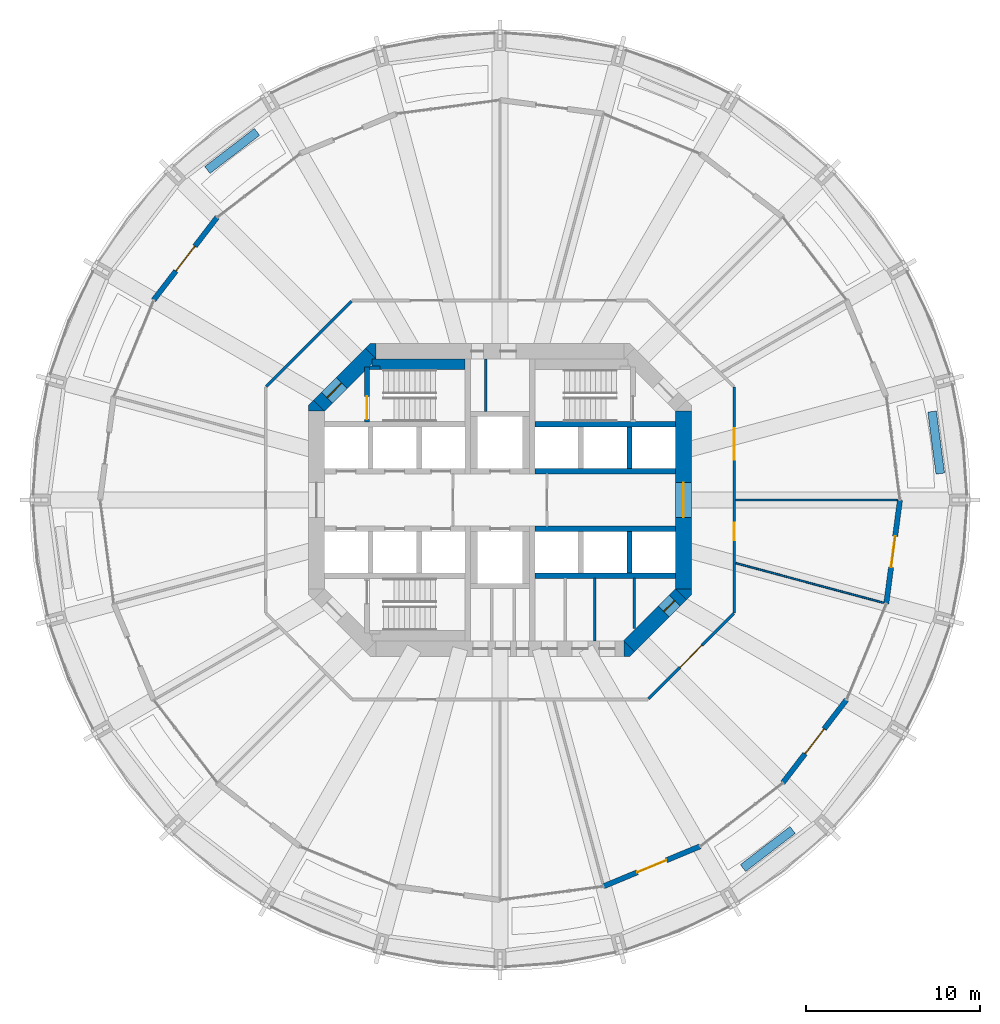
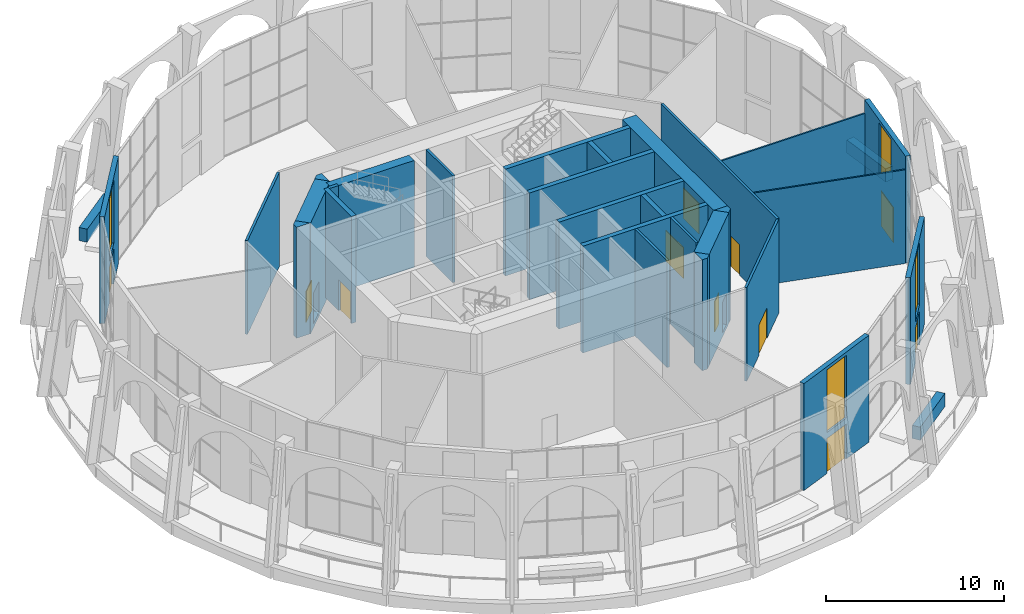
# One storey, part 14 of 19: 31 walls, 11 doors, 4 windows, 15 openings.
"""IFC4 building model written with IfcOpenShell, lengths in metres."""

from ifc_helpers import new_model, si_unit, direction, frame, frame_2d, origin, place, context, subcontext, project, spatial, polyline, rectangle, outline, extrude, material, layer, layer_set, type_object, element, fill, save


model = new_model("IFC4")

# Units and contexts
model_context = context("Model", 3, precision=1e-05, world=origin(), true_north=direction((0.0, 1.0)))
body_context = subcontext(model_context, "Body", "Model", "MODEL_VIEW")
ifc_project = project(units=[si_unit("LENGTHUNIT", "METRE"), si_unit("AREAUNIT", "SQUARE_METRE"), si_unit("VOLUMEUNIT", "CUBIC_METRE"), si_unit("PLANEANGLEUNIT", "RADIAN"), si_unit("MASSUNIT", "GRAM", prefix="KILO")], contexts=[model_context])

# Site, building, storey
site_placement = place(None, origin())
site = spatial("IfcSite", under=ifc_project, at=site_placement, CompositionType="ELEMENT")
building_placement = place(site_placement, origin())
building = spatial("IfcBuilding", under=site, at=building_placement, Name="Torre Triforio", CompositionType="ELEMENT")
storey_placement = place(building_placement, frame((0.0, 0.0, 79.0)))
storey = spatial("IfcBuildingStorey", under=building, at=storey_placement, Name="L17", CompositionType="ELEMENT", Elevation=79.0)

# Wall, opening, door
ifc_material_1 = material(Name="Concrete C60", Category="concrete")
ifc_layer_1 = layer(ifc_material_1, 0.89990234375)
ifc_layer_set_1 = layer_set([ifc_layer_1], Name="Concrete C60")
wall_type_1 = type_object("IfcWallType", Name="Core wall 900 mm C60 EI 120", PredefinedType="SHEAR", material=ifc_layer_set_1)
wall_1_placement = place(storey_placement, frame((10.550048828125, -5.1298828125, -0.280029296875), z_axis=(0.0, 0.0, 1.0), x_axis=(0.0, 1.0, 0.0)))
wall_1 = element("IfcWall", 1, at=wall_1_placement, inside=storey, type_object=wall_type_1, Name="Core wall", PredefinedType="SHEAR", context=body_context, shape_type="SweptSolid", body=[
    extrude(rectangle(XDim=10.259765625, YDim=0.89990234375, at=frame_2d((5.1298828125, 0.0))), origin(), (0.0, 0.0, 1.0), 7.60009765625),
])
opening_1_placement = place(wall_1_placement, frame((4.1298828125, 0.0, 0.280029296875)))
opening_1 = element("IfcOpeningElement", 2, at=opening_1_placement, cuts=wall_1, Name="Opening E-RING", PredefinedType="OPENING", context=body_context, shape_type="SweptSolid", body=[
    extrude(rectangle(XDim=2.0, YDim=2.10009765625, at=frame_2d((1.0, 1.050048828125))), frame((0.0, 0.4599609375, 0.0), z_axis=(0.0, -1.0, 0.0), x_axis=(1.0, 0.0, 0.0)), (0.0, 0.0, 1.0), 0.919921875),
])
ifc_material_2 = material(Name="Hollow metal fire door leaf")
door_type_1 = type_object("IfcDoorType", Name="Lobby door 2000 x 2100 EI 60", OperationType="DOUBLE_DOOR_SINGLE_SWING", PredefinedType="DOOR", material=ifc_material_2)
door_1_placement = place(opening_1_placement, origin())
door_1 = element("IfcDoor", 3, at=door_1_placement, inside=storey, type_object=door_type_1, Name="Core door E-RING", OperationType="DOUBLE_DOOR_SINGLE_SWING", OverallHeight=2.10009765625, OverallWidth=2.0, PredefinedType="DOOR", context=body_context, shape_type="SweptSolid", body=[
    extrude(rectangle(XDim=2.0, YDim=2.10009765625, at=frame_2d((1.0, 1.050048828125))), frame((0.0, 0.02490234375, 0.0), z_axis=(0.0, -1.0, 0.0), x_axis=(1.0, 0.0, 0.0)), (0.0, 0.0, 1.0), 0.050048828125),
])
fill(opening_1, door_1)

wall_2_placement = place(storey_placement, frame((-10.418212890625, 5.418212890625, -0.280029296875), z_axis=(0.0, 0.0, 1.0), x_axis=(0.707106781187, 0.707106781187, 0.0)))
wall_2 = element("IfcWall", 4, at=wall_2_placement, inside=storey, type_object=wall_type_1, Name="Core wall", PredefinedType="SHEAR", context=body_context, shape_type="SweptSolid", body=[
    extrude(rectangle(XDim=4.24267578125, YDim=0.89990234375, at=frame_2d((2.121337890625, 0.0))), origin(), (0.0, 0.0, 1.0), 7.60009765625),
])
opening_2_placement = place(wall_2_placement, frame((0.64990234375, 0.0, 0.280029296875)))
opening_2 = element("IfcOpeningElement", 5, at=opening_2_placement, cuts=wall_2, Name="Opening ST1-EXIT", PredefinedType="OPENING", context=body_context, shape_type="SweptSolid", body=[
    extrude(rectangle(XDim=1.199951171875, YDim=2.10009765625, at=frame_2d((0.60009765625, 1.050048828125))), frame((0.0, 0.4599609375, 0.0), z_axis=(0.0, -1.0, 0.0), x_axis=(1.0, 0.0, 0.0)), (0.0, 0.0, 1.0), 0.919921875),
])
door_type_2 = type_object("IfcDoorType", Name="Stair lobby door 1200 x 2100 EI 60", OperationType="NOTDEFINED", PredefinedType="DOOR", material=ifc_material_2)
door_2_placement = place(opening_2_placement, origin())
door_2 = element("IfcDoor", 6, at=door_2_placement, inside=storey, type_object=door_type_2, Name="Core door ST1-EXIT", OperationType="SINGLE_SWING_RIGHT", OverallHeight=2.10009765625, OverallWidth=1.199951171875, PredefinedType="DOOR", context=body_context, shape_type="SweptSolid", body=[
    extrude(rectangle(XDim=1.199951171875, YDim=2.10009765625, at=frame_2d((0.60009765625, 1.050048828125))), frame((0.0, 0.02490234375, 0.0), z_axis=(0.0, -1.0, 0.0), x_axis=(1.0, 0.0, 0.0)), (0.0, 0.0, 1.0), 0.050048828125),
])
fill(opening_2, door_2)

wall_3_placement = place(storey_placement, frame((10.418212890625, -5.418212890625, -0.280029296875), z_axis=(0.0, 0.0, 1.0), x_axis=(-0.707106781187, -0.707106781187, 0.0)))
wall_3 = element("IfcWall", 7, at=wall_3_placement, inside=storey, type_object=wall_type_1, Name="Core wall", PredefinedType="SHEAR", context=body_context, shape_type="SweptSolid", body=[
    extrude(rectangle(XDim=4.24267578125, YDim=0.89990234375, at=frame_2d((2.121337890625, 0.0))), origin(), (0.0, 0.0, 1.0), 7.60009765625),
])
opening_3_placement = place(wall_3_placement, frame((0.52001953125, 0.0, 0.280029296875)))
opening_3 = element("IfcOpeningElement", 8, at=opening_3_placement, cuts=wall_3, Name="Opening SE-04", PredefinedType="OPENING", context=body_context, shape_type="SweptSolid", body=[
    extrude(rectangle(XDim=0.89990234375, YDim=2.10009765625, at=frame_2d((0.449951171875, 1.050048828125))), frame((0.0, 0.4599609375, 0.0), z_axis=(0.0, -1.0, 0.0), x_axis=(1.0, 0.0, 0.0)), (0.0, 0.0, 1.0), 0.919921875),
])
door_type_3 = type_object("IfcDoorType", Name="Room door 900 x 2100 EI 60", OperationType="NOTDEFINED", PredefinedType="DOOR", material=ifc_material_2)
door_3_placement = place(opening_3_placement, origin())
door_3 = element("IfcDoor", 9, at=door_3_placement, inside=storey, type_object=door_type_3, Name="Core door SE-04", OperationType="SINGLE_SWING_RIGHT", OverallHeight=2.10009765625, OverallWidth=0.89990234375, PredefinedType="DOOR", context=body_context, shape_type="SweptSolid", body=[
    extrude(rectangle(XDim=0.89990234375, YDim=2.10009765625, at=frame_2d((0.449951171875, 1.050048828125))), frame((0.0, 0.02490234375, 0.0), z_axis=(0.0, -1.0, 0.0), x_axis=(1.0, 0.0, 0.0)), (0.0, 0.0, 1.0), 0.050048828125),
])
fill(opening_3, door_3)

# Walls
wall_4_placement = place(storey_placement, frame((0.0, 0.0, -0.280029296875)))
element("IfcWall", 10, at=wall_4_placement, inside=storey, type_object=wall_type_1, Name="Core wall", PredefinedType="SHEAR", context=body_context, shape_type="SweptSolid", body=[
    extrude(outline(polyline([(7.472900390625, -9.0), (7.1298828125, -9.0), (7.1298828125, -8.1298828125), (7.736328125, -8.736328125), (7.472900390625, -9.0)])), origin(), (0.0, 0.0, 1.0), 7.60009765625),
])
wall_5_placement = place(storey_placement, frame((0.0, 0.0, -0.280029296875)))
element("IfcWall", 11, at=wall_5_placement, inside=storey, type_object=wall_type_1, Name="Core wall", PredefinedType="SHEAR", context=body_context, shape_type="SweptSolid", body=[
    extrude(outline(polyline([(11.0, -5.472900390625), (10.736328125, -5.736328125), (10.1298828125, -5.1298828125), (11.0, -5.1298828125), (11.0, -5.472900390625)])), origin(), (0.0, 0.0, 1.0), 7.60009765625),
])
wall_6_placement = place(storey_placement, frame((0.0, 0.0, -0.280029296875)))
element("IfcWall", 12, at=wall_6_placement, inside=storey, type_object=wall_type_1, Name="Core wall", PredefinedType="SHEAR", context=body_context, shape_type="SweptSolid", body=[
    extrude(outline(polyline([(-10.736328125, 5.736328125), (-10.1298828125, 5.1298828125), (-11.0, 5.1298828125), (-11.0, 5.472900390625), (-10.736328125, 5.736328125)])), origin(), (0.0, 0.0, 1.0), 7.60009765625),
])
wall_7_placement = place(storey_placement, frame((0.0, 0.0, -0.280029296875)))
element("IfcWall", 13, at=wall_7_placement, inside=storey, type_object=wall_type_1, Name="Core wall", PredefinedType="SHEAR", context=body_context, shape_type="SweptSolid", body=[
    extrude(outline(polyline([(-7.472900390625, 9.0), (-7.1298828125, 9.0), (-7.1298828125, 8.1298828125), (-7.736328125, 8.736328125), (-7.472900390625, 9.0)])), origin(), (0.0, 0.0, 1.0), 7.60009765625),
])

# Wall, opening, door
ifc_material_3 = material(Name="Plasterboard on metal studs")
ifc_layer_2 = layer(ifc_material_3, 0.14990234375)
ifc_layer_set_2 = layer_set([ifc_layer_2], Name="Plasterboard on metal studs")
wall_type_2 = type_object("IfcWallType", Name="Corridor and tenancy wall 150 mm EI 60", PredefinedType="PARTITIONING", material=ifc_layer_set_2)
wall_8_placement = place(storey_placement, frame((13.43798828125, -6.53515625, 0.0), z_axis=(0.0, 0.0, 1.0), x_axis=(-0.707106781187, -0.707106781187, 0.0)))
wall_8 = element("IfcWall", 14, at=wall_8_placement, inside=storey, type_object=wall_type_2, Name="Partition 1", PredefinedType="PARTITIONING", context=body_context, shape_type="SweptSolid", body=[
    extrude(rectangle(XDim=6.93359375, YDim=0.14990234375, at=frame_2d((3.466796875, 0.0))), origin(), (0.0, 0.0, 1.0), 6.419921875),
])
opening_4_placement = place(wall_8_placement, frame((2.56689453125, 0.0, 0.0)))
opening_4 = element("IfcOpeningElement", 15, at=opening_4_placement, cuts=wall_8, Name="Opening G1-11", PredefinedType="OPENING", context=body_context, shape_type="SweptSolid", body=[
    extrude(rectangle(XDim=1.800048828125, YDim=2.10009765625, at=frame_2d((0.89990234375, 1.050048828125))), frame((0.0, 0.0849609375, 0.0), z_axis=(0.0, -1.0, 0.0), x_axis=(1.0, 0.0, 0.0)), (0.0, 0.0, 1.0), 0.169921875),
])
ifc_material_4 = material(Name="Timber", Category="wood")
door_type_4 = type_object("IfcDoorType", Name="Door 1800 x 2100 double leaf EI 30", OperationType="DOUBLE_DOOR_SINGLE_SWING", PredefinedType="DOOR", material=ifc_material_4)
door_4_placement = place(opening_4_placement, origin())
door_4 = element("IfcDoor", 16, at=door_4_placement, inside=storey, type_object=door_type_4, Name="Door G1-11", OperationType="DOUBLE_DOOR_SINGLE_SWING", OverallHeight=2.10009765625, OverallWidth=1.800048828125, PredefinedType="DOOR", context=body_context, shape_type="SweptSolid", body=[
    extrude(rectangle(XDim=1.800048828125, YDim=2.10009765625, at=frame_2d((0.89990234375, 1.050048828125))), frame((0.0, 0.02490234375, 0.0), z_axis=(0.0, -1.0, 0.0), x_axis=(1.0, 0.0, 0.0)), (0.0, 0.0, 1.0), 0.050048828125),
])
fill(opening_4, door_4)

# Wall
wall_9_placement = place(storey_placement, frame((-13.43798828125, 6.53515625, 0.0), z_axis=(0.0, 0.0, 1.0), x_axis=(0.707106781187, 0.707106781187, 0.0)))
element("IfcWall", 17, at=wall_9_placement, inside=storey, type_object=wall_type_2, Name="Partition 5", PredefinedType="PARTITIONING", context=body_context, shape_type="SweptSolid", body=[
    extrude(rectangle(XDim=6.93359375, YDim=0.14990234375, at=frame_2d((3.466796875, 0.0))), origin(), (0.0, 0.0, 1.0), 6.419921875),
])

# Wall, openings, doors
wall_10_placement = place(storey_placement, frame((13.47509765625, 6.498046875, 0.0), z_axis=(0.0, 0.0, 1.0), x_axis=(0.0, -1.0, 0.0)))
wall_10 = element("IfcWall", 18, at=wall_10_placement, inside=storey, type_object=wall_type_2, Name="Partition 8", PredefinedType="PARTITIONING", context=body_context, shape_type="SweptSolid", body=[
    extrude(rectangle(XDim=12.99609375, YDim=0.14990234375, at=frame_2d((6.498046875, 0.0))), origin(), (0.0, 0.0, 1.0), 6.419921875),
])
opening_5_placement = place(wall_10_placement, frame((2.3740234375, 0.0, 0.0)))
opening_5 = element("IfcOpeningElement", 19, at=opening_5_placement, cuts=wall_10, Name="Opening G1-01", PredefinedType="OPENING", context=body_context, shape_type="SweptSolid", body=[
    extrude(rectangle(XDim=1.800048828125, YDim=2.10009765625, at=frame_2d((0.89990234375, 1.050048828125))), frame((0.0, 0.0849609375, 0.0), z_axis=(0.0, -1.0, 0.0), x_axis=(1.0, 0.0, 0.0)), (0.0, 0.0, 1.0), 0.169921875),
])
opening_6_placement = place(wall_10_placement, frame((7.80419921875, 0.0, 0.0)))
opening_6 = element("IfcOpeningElement", 20, at=opening_6_placement, cuts=wall_10, Name="Opening G1-12", PredefinedType="OPENING", context=body_context, shape_type="SweptSolid", body=[
    extrude(rectangle(XDim=1.0, YDim=2.10009765625, at=frame_2d((0.5, 1.050048828125))), frame((0.0, 0.0849609375, 0.0), z_axis=(0.0, -1.0, 0.0), x_axis=(1.0, 0.0, 0.0)), (0.0, 0.0, 1.0), 0.169921875),
])
door_type_5 = type_object("IfcDoorType", Name="Door 1000 x 2100 single leaf EI 30", OperationType="NOTDEFINED", PredefinedType="DOOR", material=ifc_material_4)
door_5_placement = place(opening_6_placement, origin())
door_5 = element("IfcDoor", 21, at=door_5_placement, inside=storey, type_object=door_type_5, Name="Door G1-12", OperationType="SINGLE_SWING_LEFT", OverallHeight=2.10009765625, OverallWidth=1.0, PredefinedType="DOOR", context=body_context, shape_type="SweptSolid", body=[
    extrude(rectangle(XDim=1.0, YDim=2.10009765625, at=frame_2d((0.5, 1.050048828125))), frame((0.0, 0.02490234375, 0.0), z_axis=(0.0, -1.0, 0.0), x_axis=(1.0, 0.0, 0.0)), (0.0, 0.0, 1.0), 0.050048828125),
])
fill(opening_6, door_5)
door_6_placement = place(opening_5_placement, origin())
door_6 = element("IfcDoor", 22, at=door_6_placement, inside=storey, type_object=door_type_4, Name="Door G1-01", OperationType="DOUBLE_DOOR_SINGLE_SWING", OverallHeight=2.10009765625, OverallWidth=1.800048828125, PredefinedType="DOOR", context=body_context, shape_type="SweptSolid", body=[
    extrude(rectangle(XDim=1.800048828125, YDim=2.10009765625, at=frame_2d((0.89990234375, 1.050048828125))), frame((0.0, 0.02490234375, 0.0), z_axis=(0.0, -1.0, 0.0), x_axis=(1.0, 0.0, 0.0)), (0.0, 0.0, 1.0), 0.050048828125),
])
fill(opening_5, door_6)

# Walls
ifc_layer_3 = layer(ifc_material_3, 0.10009765625)
ifc_layer_set_3 = layer_set([ifc_layer_3], Name="Plasterboard on metal studs")
wall_type_3 = type_object("IfcWallType", Name="Partition 100 mm board on metal studs", PredefinedType="PARTITIONING", material=ifc_layer_set_3)
wall_11_placement = place(storey_placement, frame((13.550048828125, 0.0, 0.0), z_axis=(0.0, 0.0, 1.0), x_axis=(1.0, 0.0, 0.0)))
element("IfcWall", 23, at=wall_11_placement, inside=storey, type_object=wall_type_3, Name="Partition 9", PredefinedType="PARTITIONING", context=body_context, shape_type="SweptSolid", body=[
    extrude(rectangle(XDim=9.28662109375, YDim=0.10009765625, at=frame_2d((4.643310546875, 0.0))), origin(), (0.0, 0.0, 1.0), 6.419921875),
])
wall_12_placement = place(storey_placement, frame((13.564208984375, -3.634521484375, 0.0), z_axis=(0.0, 0.0, 1.0), x_axis=(0.965924134536, -0.25882535873, 0.0)))
element("IfcWall", 24, at=wall_12_placement, inside=storey, type_object=wall_type_3, Name="Partition 20", PredefinedType="PARTITIONING", context=body_context, shape_type="SweptSolid", body=[
    extrude(rectangle(XDim=8.7939453125, YDim=0.10009765625, at=frame_2d((4.39697265625, 0.0))), origin(), (0.0, 0.0, 1.0), 6.419921875),
])
ifc_material_5 = material(Name="Block and board partition")
ifc_layer_4 = layer(ifc_material_5, 0.14990234375)
ifc_layer_set_4 = layer_set([ifc_layer_4], Name="Block and board partition")
wall_type_4 = type_object("IfcWallType", Name="Partition 150 mm", PredefinedType="PARTITIONING", material=ifc_layer_set_4)
wall_13_placement = place(storey_placement, frame((5.43798828125, -8.10009765625, 0.0), z_axis=(0.0, 0.0, 1.0), x_axis=(0.0, 1.0, 0.0)))
element("IfcWall", 25, at=wall_13_placement, inside=storey, type_object=wall_type_4, Name="Partition", PredefinedType="PARTITIONING", context=body_context, shape_type="SweptSolid", body=[
    extrude(rectangle(XDim=3.60009765625, YDim=0.14990234375, at=frame_2d((1.800048828125, 0.0))), origin(), (0.0, 0.0, 1.0), 7.320068359375),
])
wall_14_placement = place(storey_placement, frame((7.72998046875, -7.39501953125, 0.0), z_axis=(0.0, 0.0, 1.0), x_axis=(0.0, 1.0, 0.0)))
element("IfcWall", 26, at=wall_14_placement, inside=storey, type_object=wall_type_4, Name="Partition", PredefinedType="PARTITIONING", context=body_context, shape_type="SweptSolid", body=[
    extrude(rectangle(XDim=2.89501953125, YDim=0.14990234375, at=frame_2d((1.447509765625, 0.0))), origin(), (0.0, 0.0, 1.0), 7.320068359375),
])
ifc_layer_5 = layer(ifc_material_5, 0.14990234375)
ifc_layer_set_5 = layer_set([ifc_layer_5], Name="Block and board partition")
wall_type_5 = type_object("IfcWallType", Name="Partition 150 mm EI 120", PredefinedType="PARTITIONING", material=ifc_layer_set_5)
wall_15_placement = place(storey_placement, frame((-0.824951171875, 5.10009765625, 0.0), z_axis=(0.0, 0.0, 1.0), x_axis=(0.0, 1.0, 0.0)))
element("IfcWall", 27, at=wall_15_placement, inside=storey, type_object=wall_type_5, Name="Partition", PredefinedType="PARTITIONING", context=body_context, shape_type="SweptSolid", body=[
    extrude(rectangle(XDim=3.0, YDim=0.14990234375, at=frame_2d((1.5, 0.0))), origin(), (0.0, 0.0, 1.0), 7.320068359375),
])
ifc_material_6 = material(Name="Limestone cladding", Category="masonry")
ifc_layer_6 = layer(ifc_material_6, 0.10009765625)
ifc_material_7 = material(Name="Concrete C40", Category="concrete")
ifc_layer_7 = layer(ifc_material_7, 0.39990234375)
ifc_layer_set_6 = layer_set([ifc_layer_6, ifc_layer_7], Name="Limestone cladding / Concrete C40")
wall_type_6 = type_object("IfcWallType", Name="Planter wall 500", PredefinedType="PARAPET", material=ifc_layer_set_6)
wall_16_placement = place(storey_placement, frame((25.318603515625, 1.517578125, 0.0), z_axis=(0.0, 0.0, 1.0), x_axis=(-0.130542222659, 0.991442750795, 0.0)))
element("IfcWall", 28, at=wall_16_placement, inside=storey, type_object=wall_type_6, Name="Planter L17 bay 01", PredefinedType="PARAPET", context=body_context, shape_type="SweptSolid", body=[
    extrude(rectangle(XDim=3.60009765625, YDim=0.5, at=frame_2d((1.800048828125, 0.0))), origin(), (0.0, 0.0, 1.0), 0.89990234375),
])
for number, where, z_axis, x_axis, name in (
    (29, (-13.9736328125, 21.16748046875, 0.0), (0.0, 0.0, 1.0), (-0.793359599829, -0.608753271334, 0.0), "Planter L17 bay 09"),
    (30, (13.9736328125, -21.16748046875, 0.0), (0.0, 0.0, 1.0), (0.793359599829, 0.608753271334, 0.0), "Planter L17 bay 21"),
):
    element("IfcWall", number, at=place(storey_placement, frame(where, z_axis=z_axis, x_axis=x_axis)), inside=storey, type_object=wall_type_6, Name=name, PredefinedType="PARAPET", context=body_context, shape_type="SweptSolid", body=[
        extrude(rectangle(XDim=3.599853515625, YDim=0.5, at=frame_2d((1.7998046875, 0.0))), origin(), (0.0, 0.0, 1.0), 0.89990234375),
    ])
ifc_layer_8 = layer(ifc_material_1, 0.300048828125)
ifc_layer_set_7 = layer_set([ifc_layer_8], Name="Concrete C60")
wall_type_7 = type_object("IfcWallType", Name="Shaft wall 300 mm C60 EI 120", PredefinedType="SOLIDWALL", material=ifc_layer_set_7)
for number, where, z_axis, x_axis, name in (
    (31, (2.0, 4.35009765625, 0.0), (0.0, 0.0, 1.0), (1.0, 0.0, 0.0), "Shaft wall"),
    (32, (2.0, -4.35009765625, 0.0), (0.0, 0.0, 1.0), (1.0, 0.0, 0.0), "Shaft wall"),
    (33, (2.0, 1.64990234375, 0.0), (0.0, 0.0, 1.0), (1.0, 0.0, 0.0), "Shaft wall"),
    (34, (2.0, -1.64990234375, 0.0), (0.0, 0.0, 1.0), (1.0, 0.0, 0.0), "Shaft wall"),
):
    element("IfcWall", number, at=place(storey_placement, frame(where, z_axis=z_axis, x_axis=x_axis)), inside=storey, type_object=wall_type_7, Name=name, PredefinedType="SOLIDWALL", context=body_context, shape_type="SweptSolid", body=[
        extrude(rectangle(XDim=8.10009765625, YDim=0.300048828125, at=frame_2d((4.050048828125, 0.0))), origin(), (0.0, 0.0, 1.0), 7.320068359375),
    ])
for number, where, z_axis, x_axis, name in (
    (35, (7.449951171875, 1.800048828125, 0.0), (0.0, 0.0, 1.0), (0.0, 1.0, 0.0), "Shaft wall"),
    (36, (7.449951171875, -4.199951171875, 0.0), (0.0, 0.0, 1.0), (0.0, 1.0, 0.0), "Shaft wall"),
):
    element("IfcWall", number, at=place(storey_placement, frame(where, z_axis=z_axis, x_axis=x_axis)), inside=storey, type_object=wall_type_7, Name=name, PredefinedType="SOLIDWALL", context=body_context, shape_type="SweptSolid", body=[
        extrude(rectangle(XDim=2.39990234375, YDim=0.300048828125, at=frame_2d((1.199951171875, 0.0))), origin(), (0.0, 0.0, 1.0), 7.320068359375),
    ])
ifc_layer_9 = layer(ifc_material_1, 0.199951171875)
ifc_layer_set_8 = layer_set([ifc_layer_9], Name="Concrete C60")
wall_type_8 = type_object("IfcWallType", Name="Stair wall 200 mm C60 EI 120", PredefinedType="SHEAR", material=ifc_layer_set_8)
wall_17_placement = place(storey_placement, frame((-7.5, 7.60009765625, 0.0), z_axis=(0.0, 0.0, 1.0), x_axis=(1.0, 0.0, 0.0)))
element("IfcWall", 37, at=wall_17_placement, inside=storey, type_object=wall_type_8, Name="Stair wall", PredefinedType="SHEAR", context=body_context, shape_type="SweptSolid", body=[
    extrude(rectangle(XDim=0.60009765625, YDim=0.199951171875, at=frame_2d((0.300048828125, 0.0))), origin(), (0.0, 0.0, 1.0), 7.320068359375),
])

# Wall, opening, door
ifc_layer_10 = layer(ifc_material_1, 0.300048828125)
ifc_layer_set_9 = layer_set([ifc_layer_10], Name="Concrete C60")
wall_type_9 = type_object("IfcWallType", Name="Stair wall 300 mm C60 EI 120", PredefinedType="SHEAR", material=ifc_layer_set_9)
wall_18_placement = place(storey_placement, frame((-7.64990234375, 4.5, 0.0), z_axis=(0.0, 0.0, 1.0), x_axis=(0.0, 1.0, 0.0)))
wall_18 = element("IfcWall", 38, at=wall_18_placement, inside=storey, type_object=wall_type_9, Name="Stair wall", PredefinedType="SHEAR", context=body_context, shape_type="SweptSolid", body=[
    extrude(rectangle(XDim=3.139892578125, YDim=0.300048828125, at=frame_2d((1.56982421875, 0.0))), origin(), (0.0, 0.0, 1.0), 7.320068359375),
])
opening_7_placement = place(wall_18_placement, frame((0.139892578125, 0.0, 0.0)))
opening_7 = element("IfcOpeningElement", 39, at=opening_7_placement, cuts=wall_18, Name="Opening ST1-STA", PredefinedType="OPENING", context=body_context, shape_type="SweptSolid", body=[
    extrude(rectangle(XDim=1.320068359375, YDim=2.10009765625, at=frame_2d((0.66015625, 1.050048828125))), frame((0.0, 0.159912109375, 0.0), z_axis=(0.0, -1.0, 0.0), x_axis=(1.0, 0.0, 0.0)), (0.0, 0.0, 1.0), 0.320068359375),
])
door_type_6 = type_object("IfcDoorType", Name="Stair door 1320 x 2100 EI 90", OperationType="DOUBLE_DOOR_SINGLE_SWING", PredefinedType="DOOR", material=ifc_material_2)
door_7_placement = place(opening_7_placement, origin())
door_7 = element("IfcDoor", 40, at=door_7_placement, inside=storey, type_object=door_type_6, Name="Core door ST1-ST", OperationType="DOUBLE_DOOR_SINGLE_SWING", OverallHeight=2.10009765625, OverallWidth=1.320068359375, PredefinedType="DOOR", context=body_context, shape_type="SweptSolid", body=[
    extrude(rectangle(XDim=1.320068359375, YDim=2.10009765625, at=frame_2d((0.66015625, 1.050048828125))), frame((0.0, 0.02490234375, 0.0), z_axis=(0.0, -1.0, 0.0), x_axis=(1.0, 0.0, 0.0)), (0.0, 0.0, 1.0), 0.050048828125),
])
fill(opening_7, door_7)

# Wall
ifc_layer_11 = layer(ifc_material_1, 0.60009765625)
ifc_layer_set_10 = layer_set([ifc_layer_11], Name="Concrete C60")
wall_type_10 = type_object("IfcWallType", Name="Stair wall 600 mm C60 EI 120", PredefinedType="SHEAR", material=ifc_layer_set_10)
wall_19_placement = place(storey_placement, frame((-7.3701171875, 7.800048828125, 0.0), z_axis=(0.0, 0.0, 1.0), x_axis=(1.0, 0.0, 0.0)))
element("IfcWall", 41, at=wall_19_placement, inside=storey, type_object=wall_type_10, Name="Stair wall", PredefinedType="SHEAR", context=body_context, shape_type="SweptSolid", body=[
    extrude(rectangle(XDim=5.3701171875, YDim=0.60009765625, at=frame_2d((2.68505859375, 0.0))), origin(), (0.0, 0.0, 1.0), 7.320068359375),
])

# Wall, openings, window, door
ifc_layer_12 = layer(ifc_material_6, 0.10009765625)
ifc_layer_13 = layer(ifc_material_7, 0.199951171875)
ifc_layer_set_11 = layer_set([ifc_layer_12, ifc_layer_13], Name="Limestone cladding / Concrete C40")
wall_type_11 = type_object("IfcWallType", Name="Stone-faced composite wall 300", PredefinedType="STANDARD", material=ifc_layer_set_11)
wall_20_placement = place(storey_placement, frame((-16.263427734375, 16.263427734375, 0.0), z_axis=(0.0, 0.0, 1.0), x_axis=(-0.608778912074, -0.793339924758, 0.0)))
wall_20 = element("IfcWall", 42, at=wall_20_placement, inside=storey, type_object=wall_type_11, Name="External wall L17 bay 10", PredefinedType="STANDARD", context=body_context, shape_type="SweptSolid", body=[
    extrude(rectangle(XDim=6.004150390625, YDim=0.300048828125, at=frame_2d((3.001953125, 0.0))), origin(), (0.0, 0.0, 1.0), 7.320068359375),
])
opening_8_placement = place(wall_20_placement, frame((2.10205078125, 0.0, 0.0)))
opening_8 = element("IfcOpeningElement", 43, at=opening_8_placement, cuts=wall_20, Name="Opening G1-D10", PredefinedType="OPENING", context=body_context, shape_type="SweptSolid", body=[
    extrude(rectangle(XDim=1.800048828125, YDim=2.39990234375, at=frame_2d((0.89990234375, 1.199951171875))), frame((0.0, 0.159912109375, 0.0), z_axis=(0.0, -1.0, 0.0), x_axis=(1.0, 0.0, 0.0)), (0.0, 0.0, 1.0), 0.320068359375),
])
opening_9_placement = place(wall_20_placement, frame((2.10205078125, 0.0, 2.800048828125)))
opening_9 = element("IfcOpeningElement", 44, at=opening_9_placement, cuts=wall_20, Name="Opening G1-W10", PredefinedType="OPENING", context=body_context, shape_type="SweptSolid", body=[
    extrude(rectangle(XDim=1.800048828125, YDim=4.300048828125, at=frame_2d((0.89990234375, 2.14990234375))), frame((0.0, 0.159912109375, 0.0), z_axis=(0.0, -1.0, 0.0), x_axis=(1.0, 0.0, 0.0)), (0.0, 0.0, 1.0), 0.320068359375),
])
ifc_material_8 = material(Name="Aluminium frame with clear double glazing", Category="aluminium")
window_type = type_object("IfcWindowType", Name="Garden clerestory window 1800 x 4300", PartitioningType="DOUBLE_PANEL_VERTICAL", PredefinedType="WINDOW", material=ifc_material_8)
window_1_placement = place(opening_9_placement, origin())
window_1 = element("IfcWindow", 45, at=window_1_placement, inside=storey, type_object=window_type, Name="Clerestory EWN21 L17 bay 10", OverallHeight=4.300048828125, OverallWidth=1.800048828125, PartitioningType="SINGLE_PANEL", PredefinedType="WINDOW", context=body_context, shape_type="SweptSolid", body=[
    extrude(rectangle(XDim=1.800048828125, YDim=4.300048828125, at=frame_2d((0.89990234375, 2.14990234375))), frame((0.0, 0.030029296875, 0.0), z_axis=(0.0, -1.0, 0.0), x_axis=(1.0, 0.0, 0.0)), (0.0, 0.0, 1.0), 0.06005859375),
])
fill(opening_9, window_1)
door_type_7 = type_object("IfcDoorType", Name="Terrace double door 1800 x 2400", OperationType="DOUBLE_DOOR_SINGLE_SWING", PredefinedType="DOOR", material=ifc_material_8)
door_8_placement = place(opening_8_placement, origin())
door_8 = element("IfcDoor", 46, at=door_8_placement, inside=storey, type_object=door_type_7, Name="Terrace door L17 bay 10", OperationType="SINGLE_SWING_LEFT", OverallHeight=2.39990234375, OverallWidth=1.800048828125, PredefinedType="DOOR", context=body_context, shape_type="SweptSolid", body=[
    extrude(rectangle(XDim=1.800048828125, YDim=2.39990234375, at=frame_2d((0.89990234375, 1.199951171875))), frame((0.0, 0.02490234375, 0.0), z_axis=(0.0, -1.0, 0.0), x_axis=(1.0, 0.0, 0.0)), (0.0, 0.0, 1.0), 0.050048828125),
])
fill(opening_8, door_8)

wall_21_placement = place(storey_placement, frame((5.952880859375, -22.21630859375, 0.0), z_axis=(0.0, 0.0, 1.0), x_axis=(0.923884511653, 0.382671411433, 0.0)))
wall_21 = element("IfcWall", 47, at=wall_21_placement, inside=storey, type_object=wall_type_11, Name="External wall L17 bay 20", PredefinedType="STANDARD", context=body_context, shape_type="SweptSolid", body=[
    extrude(rectangle(XDim=6.004150390625, YDim=0.300048828125, at=frame_2d((3.001953125, 0.0))), origin(), (0.0, 0.0, 1.0), 7.320068359375),
])
opening_10_placement = place(wall_21_placement, frame((2.10205078125, 0.0, 0.0)))
opening_10 = element("IfcOpeningElement", 48, at=opening_10_placement, cuts=wall_21, Name="Opening G1-D20", PredefinedType="OPENING", context=body_context, shape_type="SweptSolid", body=[
    extrude(rectangle(XDim=1.800048828125, YDim=2.39990234375, at=frame_2d((0.89990234375, 1.199951171875))), frame((0.0, 0.159912109375, 0.0), z_axis=(0.0, -1.0, 0.0), x_axis=(1.0, 0.0, 0.0)), (0.0, 0.0, 1.0), 0.320068359375),
])
opening_11_placement = place(wall_21_placement, frame((2.10205078125, 0.0, 2.800048828125)))
opening_11 = element("IfcOpeningElement", 49, at=opening_11_placement, cuts=wall_21, Name="Opening G1-W20", PredefinedType="OPENING", context=body_context, shape_type="SweptSolid", body=[
    extrude(rectangle(XDim=1.800048828125, YDim=4.300048828125, at=frame_2d((0.89990234375, 2.14990234375))), frame((0.0, 0.159912109375, 0.0), z_axis=(0.0, -1.0, 0.0), x_axis=(1.0, 0.0, 0.0)), (0.0, 0.0, 1.0), 0.320068359375),
])
window_2_placement = place(opening_11_placement, origin())
window_2 = element("IfcWindow", 50, at=window_2_placement, inside=storey, type_object=window_type, Name="Clerestory EWN21 L17 bay 20", OverallHeight=4.300048828125, OverallWidth=1.800048828125, PartitioningType="SINGLE_PANEL", PredefinedType="WINDOW", context=body_context, shape_type="SweptSolid", body=[
    extrude(rectangle(XDim=1.800048828125, YDim=4.300048828125, at=frame_2d((0.89990234375, 2.14990234375))), frame((0.0, 0.030029296875, 0.0), z_axis=(0.0, -1.0, 0.0), x_axis=(1.0, 0.0, 0.0)), (0.0, 0.0, 1.0), 0.06005859375),
])
fill(opening_11, window_2)
door_9_placement = place(opening_10_placement, origin())
door_9 = element("IfcDoor", 51, at=door_9_placement, inside=storey, type_object=door_type_7, Name="Terrace door L17 bay 20", OperationType="SINGLE_SWING_LEFT", OverallHeight=2.39990234375, OverallWidth=1.800048828125, PredefinedType="DOOR", context=body_context, shape_type="SweptSolid", body=[
    extrude(rectangle(XDim=1.800048828125, YDim=2.39990234375, at=frame_2d((0.89990234375, 1.199951171875))), frame((0.0, 0.02490234375, 0.0), z_axis=(0.0, -1.0, 0.0), x_axis=(1.0, 0.0, 0.0)), (0.0, 0.0, 1.0), 0.050048828125),
])
fill(opening_10, door_9)

wall_22_placement = place(storey_placement, frame((16.263427734375, -16.263427734375, 0.0), z_axis=(0.0, 0.0, 1.0), x_axis=(0.608778912074, 0.793339924758, 0.0)))
wall_22 = element("IfcWall", 52, at=wall_22_placement, inside=storey, type_object=wall_type_11, Name="External wall L17 bay 22", PredefinedType="STANDARD", context=body_context, shape_type="SweptSolid", body=[
    extrude(rectangle(XDim=6.004150390625, YDim=0.300048828125, at=frame_2d((3.001953125, 0.0))), origin(), (0.0, 0.0, 1.0), 7.320068359375),
])
opening_12_placement = place(wall_22_placement, frame((2.10205078125, 0.0, 0.0)))
opening_12 = element("IfcOpeningElement", 53, at=opening_12_placement, cuts=wall_22, Name="Opening G1-D22", PredefinedType="OPENING", context=body_context, shape_type="SweptSolid", body=[
    extrude(rectangle(XDim=1.800048828125, YDim=2.39990234375, at=frame_2d((0.89990234375, 1.199951171875))), frame((0.0, 0.159912109375, 0.0), z_axis=(0.0, -1.0, 0.0), x_axis=(1.0, 0.0, 0.0)), (0.0, 0.0, 1.0), 0.320068359375),
])
opening_13_placement = place(wall_22_placement, frame((2.10205078125, 0.0, 2.800048828125)))
opening_13 = element("IfcOpeningElement", 54, at=opening_13_placement, cuts=wall_22, Name="Opening G1-W22", PredefinedType="OPENING", context=body_context, shape_type="SweptSolid", body=[
    extrude(rectangle(XDim=1.800048828125, YDim=4.300048828125, at=frame_2d((0.89990234375, 2.14990234375))), frame((0.0, 0.159912109375, 0.0), z_axis=(0.0, -1.0, 0.0), x_axis=(1.0, 0.0, 0.0)), (0.0, 0.0, 1.0), 0.320068359375),
])
window_3_placement = place(opening_13_placement, origin())
window_3 = element("IfcWindow", 55, at=window_3_placement, inside=storey, type_object=window_type, Name="Clerestory EWN21 L17 bay 22", OverallHeight=4.300048828125, OverallWidth=1.800048828125, PartitioningType="SINGLE_PANEL", PredefinedType="WINDOW", context=body_context, shape_type="SweptSolid", body=[
    extrude(rectangle(XDim=1.800048828125, YDim=4.300048828125, at=frame_2d((0.89990234375, 2.14990234375))), frame((0.0, 0.030029296875, 0.0), z_axis=(0.0, -1.0, 0.0), x_axis=(1.0, 0.0, 0.0)), (0.0, 0.0, 1.0), 0.06005859375),
])
fill(opening_13, window_3)
door_10_placement = place(opening_12_placement, origin())
door_10 = element("IfcDoor", 56, at=door_10_placement, inside=storey, type_object=door_type_7, Name="Terrace door L17 bay 22", OperationType="SINGLE_SWING_LEFT", OverallHeight=2.39990234375, OverallWidth=1.800048828125, PredefinedType="DOOR", context=body_context, shape_type="SweptSolid", body=[
    extrude(rectangle(XDim=1.800048828125, YDim=2.39990234375, at=frame_2d((0.89990234375, 1.199951171875))), frame((0.0, 0.02490234375, 0.0), z_axis=(0.0, -1.0, 0.0), x_axis=(1.0, 0.0, 0.0)), (0.0, 0.0, 1.0), 0.050048828125),
])
fill(opening_12, door_10)

wall_23_placement = place(storey_placement, frame((22.21630859375, -5.952880859375, 0.0), z_axis=(0.0, 0.0, 1.0), x_axis=(0.130522880875, 0.991445297315, 0.0)))
wall_23 = element("IfcWall", 57, at=wall_23_placement, inside=storey, type_object=wall_type_11, Name="External wall L17 bay 24", PredefinedType="STANDARD", context=body_context, shape_type="SweptSolid", body=[
    extrude(rectangle(XDim=6.004150390625, YDim=0.300048828125, at=frame_2d((3.001953125, 0.0))), origin(), (0.0, 0.0, 1.0), 7.320068359375),
])
opening_14_placement = place(wall_23_placement, frame((2.10205078125, 0.0, 0.0)))
opening_14 = element("IfcOpeningElement", 58, at=opening_14_placement, cuts=wall_23, Name="Opening G1-D24", PredefinedType="OPENING", context=body_context, shape_type="SweptSolid", body=[
    extrude(rectangle(XDim=1.800048828125, YDim=2.39990234375, at=frame_2d((0.89990234375, 1.199951171875))), frame((0.0, 0.159912109375, 0.0), z_axis=(0.0, -1.0, 0.0), x_axis=(1.0, 0.0, 0.0)), (0.0, 0.0, 1.0), 0.320068359375),
])
opening_15_placement = place(wall_23_placement, frame((2.10205078125, 0.0, 2.800048828125)))
opening_15 = element("IfcOpeningElement", 59, at=opening_15_placement, cuts=wall_23, Name="Opening G1-W24", PredefinedType="OPENING", context=body_context, shape_type="SweptSolid", body=[
    extrude(rectangle(XDim=1.800048828125, YDim=4.300048828125, at=frame_2d((0.89990234375, 2.14990234375))), frame((0.0, 0.159912109375, 0.0), z_axis=(0.0, -1.0, 0.0), x_axis=(1.0, 0.0, 0.0)), (0.0, 0.0, 1.0), 0.320068359375),
])
window_4_placement = place(opening_15_placement, origin())
window_4 = element("IfcWindow", 60, at=window_4_placement, inside=storey, type_object=window_type, Name="Clerestory EWN21 L17 bay 24", OverallHeight=4.300048828125, OverallWidth=1.800048828125, PartitioningType="SINGLE_PANEL", PredefinedType="WINDOW", context=body_context, shape_type="SweptSolid", body=[
    extrude(rectangle(XDim=1.800048828125, YDim=4.300048828125, at=frame_2d((0.89990234375, 2.14990234375))), frame((0.0, 0.030029296875, 0.0), z_axis=(0.0, -1.0, 0.0), x_axis=(1.0, 0.0, 0.0)), (0.0, 0.0, 1.0), 0.06005859375),
])
fill(opening_15, window_4)
door_11_placement = place(opening_14_placement, origin())
door_11 = element("IfcDoor", 61, at=door_11_placement, inside=storey, type_object=door_type_7, Name="Terrace door L17 bay 24", OperationType="SINGLE_SWING_LEFT", OverallHeight=2.39990234375, OverallWidth=1.800048828125, PredefinedType="DOOR", context=body_context, shape_type="SweptSolid", body=[
    extrude(rectangle(XDim=1.800048828125, YDim=2.39990234375, at=frame_2d((0.89990234375, 1.199951171875))), frame((0.0, 0.02490234375, 0.0), z_axis=(0.0, -1.0, 0.0), x_axis=(1.0, 0.0, 0.0)), (0.0, 0.0, 1.0), 0.050048828125),
])
fill(opening_14, door_11)

save(model, "model.ifc")
